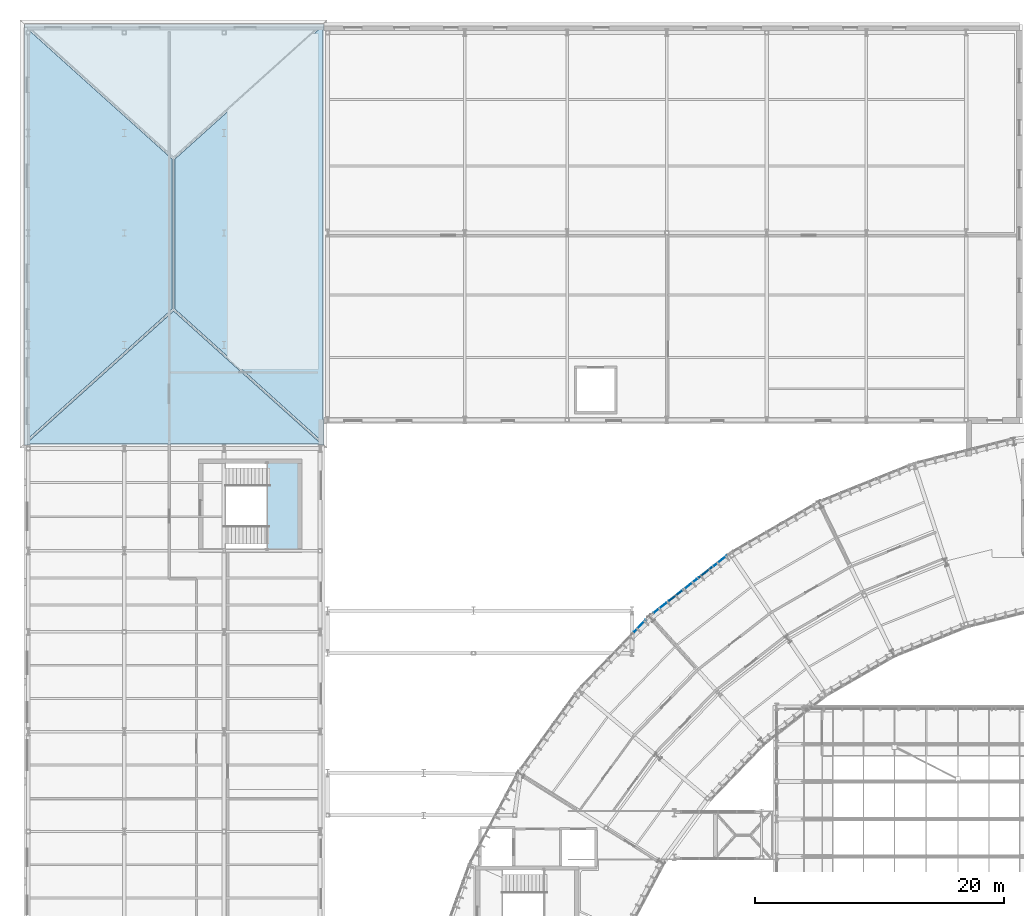
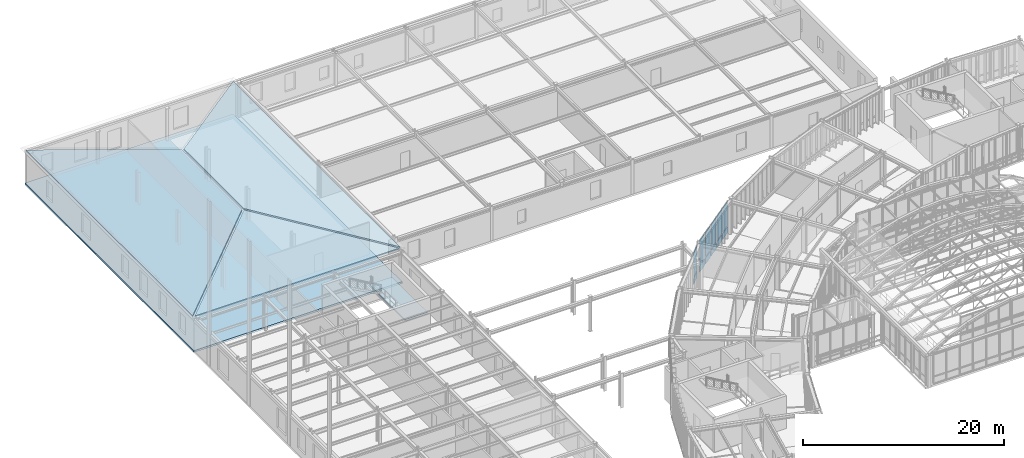
# One storey, part 102 of 148: 12 plates, 5 slabs, 3 elements without a shape of their own.
"""IFC4 building model written with IfcOpenShell, lengths in metres."""

import ifcopenshell
import ifcopenshell.guid

model = None  # the IFC model being written
_history = None  # IfcOwnerHistory: only IFC2X3 demands one
_inside = {}  # id of a spatial element -> (the spatial element, [elements in it])
_under = {}  # id of a project, library or spatial element -> (it, [spatial elements below it])
_declared = {}  # id of a project -> (the project, [libraries it declares])
_typed = {}  # id of a type object -> (the type object, [elements of that type])
_made_of = {}  # id of a material, layer set ... -> (it, [elements and type objects made of it])


def new_model(schema):
    """Start an empty IFC model of exactly this schema.

    Asked for "IFC4X3", IfcOpenShell would pick the latest addendum, in which some entities
    have other attributes; the version numbers below select the first issue.
    IFC2X3 requires an IfcOwnerHistory on every rooted entity: one is made here for all.
    """
    global model, _history
    if schema == "IFC4X3":
        model = ifcopenshell.file(schema_version=(4, 3, 0, 0))
    else:
        model = ifcopenshell.file(schema=schema)
    _inside.clear()
    _under.clear()
    _declared.clear()
    _typed.clear()
    _made_of.clear()
    _history = None
    if model.schema == "IFC2X3":
        org = make("IfcOrganization", Name="unknown")
        user = make(
            "IfcPersonAndOrganization",
            ThePerson=make("IfcPerson", FamilyName="unknown"),
            TheOrganization=org,
        )
        app = make(
            "IfcApplication",
            ApplicationDeveloper=org,
            Version="unknown",
            ApplicationFullName="unknown",
            ApplicationIdentifier="unknown",
        )
        _history = make(
            "IfcOwnerHistory",
            OwningUser=user,
            OwningApplication=app,
            ChangeAction="ADDED",
            CreationDate=0,
        )
    return model


def make(cls, **values):
    """One entity of the class cls with the attributes given. An attribute that is None is left unset."""
    return model.create_entity(
        cls, **{name: value for name, value in values.items() if value is not None}
    )


def rooted(cls, **values):
    """An entity with a GlobalId (a new one), such as an element, a storey or a relation."""
    return make(cls, GlobalId=ifcopenshell.guid.new(), OwnerHistory=_history, **values)


def si_unit(unit_type, name, prefix=None):
    """IfcSIUnit, for example si_unit("LENGTHUNIT", "METRE", prefix="MILLI")."""
    return make("IfcSIUnit", UnitType=unit_type, Prefix=prefix, Name=name)


def assignment(units):
    """IfcUnitAssignment: the units of a project."""
    return None if units is None else make("IfcUnitAssignment", Units=units)


def point(xyz):
    """IfcCartesianPoint."""
    return None if xyz is None else make("IfcCartesianPoint", Coordinates=xyz)


def direction(xyz):
    """IfcDirection."""
    return None if xyz is None else make("IfcDirection", DirectionRatios=xyz)


def frame(location, z_axis=None, x_axis=None):
    """IfcAxis2Placement3D, a coordinate frame: its origin and axes. An axis left out is left unset."""
    return make(
        "IfcAxis2Placement3D",
        Location=point(location),
        Axis=direction(z_axis),
        RefDirection=direction(x_axis),
    )


def frame_2d(location, x_axis=None):
    """IfcAxis2Placement2D, a coordinate frame in the plane: its origin and x axis."""
    return make(
        "IfcAxis2Placement2D", Location=point(location), RefDirection=direction(x_axis)
    )


def origin():
    """The frame at (0, 0, 0) with its axes left unset."""
    return frame((0.0, 0.0, 0.0))


def origin_2d():
    """The frame at (0, 0) in the plane with its x axis left unset."""
    return frame_2d((0.0, 0.0))


def place(relative_to, where):
    """IfcLocalPlacement: puts the frame where relative to a parent placement (None: the world)."""
    return make(
        "IfcLocalPlacement", PlacementRelTo=relative_to, RelativePlacement=where
    )


def context(
    kind, dimensions, precision=None, world=None, true_north=None, identifier=None
):
    """IfcGeometricRepresentationContext, for example the 3D "Model" context."""
    return make(
        "IfcGeometricRepresentationContext",
        ContextIdentifier=identifier,
        ContextType=kind,
        CoordinateSpaceDimension=dimensions,
        Precision=precision,
        WorldCoordinateSystem=world,
        TrueNorth=true_north,
    )


def subcontext(parent, identifier, kind, view, scale=None):
    """IfcGeometricRepresentationSubContext, for example "Body" below "Model"."""
    return make(
        "IfcGeometricRepresentationSubContext",
        ContextIdentifier=identifier,
        ContextType=kind,
        ParentContext=parent,
        TargetScale=scale,
        TargetView=view,
    )


def project(units=None, contexts=None):
    """IfcProject with its units and contexts."""
    return rooted(
        "IfcProject",
        Name="project",
        RepresentationContexts=contexts,
        UnitsInContext=assignment(units),
    )


def spatial(cls, under=None, at=None, **own):
    """A site, building, storey or space (cls), placed at a placement, below another one or the project."""
    s = rooted(cls, ObjectPlacement=at, **own)
    if under is not None:
        _under.setdefault(under.id(), (under, []))[1].append(s)
    return s


def polyline(points):
    """IfcPolyline through the points."""
    return make("IfcPolyline", Points=[point(p) for p in points])


def profile(cls, at=None, kind="AREA", **sizes):
    """A parametric profile (cls). Its sizes go by their IFC names, for example OverallWidth=200.0."""
    return make(cls, ProfileType=kind, Position=at, **sizes)


def rectangle(**sizes):
    """IfcRectangleProfileDef."""
    return profile("IfcRectangleProfileDef", **sizes)


def outline(outer, holes=None, kind="AREA"):
    """IfcArbitraryClosedProfileDef: a profile drawn as a closed curve; with holes, ...WithVoids."""
    if holes is None:
        return make("IfcArbitraryClosedProfileDef", ProfileType=kind, OuterCurve=outer)
    return make(
        "IfcArbitraryProfileDefWithVoids",
        ProfileType=kind,
        OuterCurve=outer,
        InnerCurves=holes,
    )


def extrude(swept, where, along, depth):
    """IfcExtrudedAreaSolid: the profile swept, set in the frame where, extruded along a direction by depth."""
    return make(
        "IfcExtrudedAreaSolid",
        SweptArea=swept,
        Position=where,
        ExtrudedDirection=direction(along),
        Depth=depth,
    )


def shape(context_of_items, identifier, shape_type, items):
    """IfcShapeRepresentation: the items that make up one representation, for example the "Body"."""
    return make(
        "IfcShapeRepresentation",
        ContextOfItems=context_of_items,
        RepresentationIdentifier=identifier,
        RepresentationType=shape_type,
        Items=items,
    )


def material(Name=None, Category=None):
    """IfcMaterial."""
    return make("IfcMaterial", Name=Name, Category=Category)


def layer(
    of_material, thickness, ventilated=None, Name=None, Category=None, Priority=None
):
    """IfcMaterialLayer: one layer of a wall or slab, of a material (None: an air gap)."""
    return make(
        "IfcMaterialLayer",
        Material=of_material,
        LayerThickness=thickness,
        IsVentilated=ventilated,
        Name=Name,
        Category=Category,
        Priority=Priority,
    )


def layer_set(layers, Name=None):
    """IfcMaterialLayerSet."""
    return make("IfcMaterialLayerSet", MaterialLayers=layers, LayerSetName=Name)


def made_of(thing, what):
    """Note that an element or type object is made of a material, layer set ...; save() writes the relation."""
    if what is not None:
        _made_of.setdefault(what.id(), (what, []))[1].append(thing)
    return thing


def type_object(cls, material=None, **own):
    """A type object (cls), such as IfcWallType, which elements share."""
    return made_of(rooted(cls, **own), material)


def element(
    cls,
    number,
    at=None,
    inside=None,
    cuts=None,
    type_object=None,
    material=None,
    context=None,
    identifier="Body",
    shape_type=None,
    held_by="IfcProductDefinitionShape",
    body=None,
    shapes=None,
    **own,
):
    """One element of the class cls, such as IfcWall. Its Tag is "e" and its number.

    at: its placement. inside: the storey or other place that contains it. cuts: it is an
    opening in that element (IfcRelVoidsElement). A single representation is given by context,
    identifier, shape_type and body (its items); several are given by shapes. held_by: the class
    of the entity that holds the representations. save() writes the other relations.
    """
    e = rooted(cls, Tag="e%d" % number, ObjectPlacement=at, **own)
    if body is not None:
        shapes = [shape(context, identifier, shape_type, body)]
    if shapes is not None:
        e.Representation = make(held_by, Representations=shapes)
    if inside is not None:
        _inside.setdefault(inside.id(), (inside, []))[1].append(e)
    if cuts is not None:
        rooted(
            "IfcRelVoidsElement", RelatingBuildingElement=cuts, RelatedOpeningElement=e
        )
    if type_object is not None:
        _typed.setdefault(type_object.id(), (type_object, []))[1].append(e)
    return made_of(e, material)


def aggregate(whole, parts):
    """IfcRelAggregates: a whole, such as a stair, and the parts it consists of."""
    return rooted("IfcRelAggregates", RelatingObject=whole, RelatedObjects=parts)


def save(model, path):
    """Write the relations noted so far, then the file.

    IfcRelAggregates (storeys below a building ...), IfcRelContainedInSpatialStructure (elements
    in a storey), IfcRelDefinesByType, IfcRelAssociatesMaterial and IfcRelDeclares: one each for
    every whole, place, type object, material and project.
    """
    for whole, parts in _under.values():
        aggregate(whole, parts)
    for where, things in _inside.values():
        rooted(
            "IfcRelContainedInSpatialStructure",
            RelatedElements=things,
            RelatingStructure=where,
        )
    for kind, things in _typed.values():
        rooted("IfcRelDefinesByType", RelatedObjects=things, RelatingType=kind)
    for what, things in _made_of.values():
        rooted("IfcRelAssociatesMaterial", RelatedObjects=things, RelatingMaterial=what)
    for by, libraries in _declared.values():
        rooted("IfcRelDeclares", RelatingContext=by, RelatedDefinitions=libraries)
    model.write(path)


model = new_model("IFC4")

# Units and contexts
model_context = context("Model", 3, precision=1e-05, world=origin(), true_north=direction((0.0, 1.0)))
body_context = subcontext(model_context, "Body", "Model", "MODEL_VIEW")
ifc_project = project(units=[si_unit("LENGTHUNIT", "METRE"), si_unit("AREAUNIT", "SQUARE_METRE"), si_unit("VOLUMEUNIT", "CUBIC_METRE"), si_unit("PLANEANGLEUNIT", "RADIAN"), si_unit("MASSUNIT", "GRAM", prefix="KILO"), si_unit("THERMODYNAMICTEMPERATUREUNIT", "KELVIN"), si_unit("POWERUNIT", "WATT")], contexts=[model_context])

# Site, building, storey
site_placement = place(None, origin())
site = spatial("IfcSite", under=ifc_project, at=site_placement, CompositionType="ELEMENT")
building_placement = place(site_placement, origin())
building = spatial("IfcBuilding", under=site, at=building_placement, Name="Solvatero Civic Police Headquarters", CompositionType="ELEMENT")
storey_placement = place(building_placement, frame((0.0, 0.0, 5.10009765625)))
storey = spatial("IfcBuildingStorey", under=building, at=storey_placement, Name="L01", CompositionType="ELEMENT", Elevation=5.10009765625)

# Curtain wall, plates
ifc_material_1 = material(Name="Anodized Bronze Aluminium", Category="aluminium")
ifc_layer_1 = layer(ifc_material_1, 0.179931640625)
ifc_layer_set_1 = layer_set([ifc_layer_1], Name="Anodized Bronze Aluminium")
curtain_wall_type = type_object("IfcCurtainWallType", Name="CW-ARC-OUT", PredefinedType="USERDEFINED", material=ifc_layer_set_1)
curtain_wall_1_placement = place(storey_placement, origin())
curtain_wall_1 = element("IfcCurtainWall", 1, at=curtain_wall_1_placement, inside=storey, type_object=curtain_wall_type, Name="Curtain Wall CW-R2-L01-ARC-OUT-B06", ObjectType="UNITISED", PredefinedType="USERDEFINED")
ifc_material_2 = material(Name="Triple Low-E Laminated Glass", Category="glass")
ifc_layer_2 = layer(ifc_material_2, 0.0380859375)
ifc_layer_set_2 = layer_set([ifc_layer_2], Name="Triple Low-E Laminated Glass")
plate_type_1 = type_object("IfcPlateType", Name="CWP-GLZ-38", PredefinedType="CURTAIN_PANEL", material=ifc_layer_set_2)
plate_1_placement = place(storey_placement, frame((60.30078125, 74.208984375, 0.91015625), z_axis=(0.0, 0.0, 1.0), x_axis=(-0.788010753607, -0.615661475326, 0.0)))
plate_1 = element("IfcPlate", 2, at=plate_1_placement, type_object=plate_type_1, Name="CW-R2-L01-ARC-OUT-B06 Vision Glazing 1", PredefinedType="CURTAIN_PANEL", context=body_context, shape_type="SweptSolid", body=[
    extrude(rectangle(XDim=1.34814453125, YDim=0.0380859375, at=origin_2d()), origin(), (0.0, 0.0, 1.0), 2.969970703125),
])
plate_2_placement = place(storey_placement, frame((57.892578125, 72.327392578125, 0.91015625), z_axis=(0.0, 0.0, 1.0), x_axis=(-0.788010753607, -0.615661475326, 0.0)))
plate_2 = element("IfcPlate", 3, at=plate_2_placement, type_object=plate_type_1, Name="CW-R2-L01-ARC-OUT-B06 Vision Glazing 3", PredefinedType="CURTAIN_PANEL", context=body_context, shape_type="SweptSolid", body=[
    extrude(rectangle(XDim=1.34814453125, YDim=0.0380859375, at=origin_2d()), origin(), (0.0, 0.0, 1.0), 2.969970703125),
])
plate_3_placement = place(storey_placement, frame((55.484130859375, 70.446044921875, 0.91015625), z_axis=(0.0, 0.0, 1.0), x_axis=(-0.788010753607, -0.615661475326, 0.0)))
plate_3 = element("IfcPlate", 4, at=plate_3_placement, type_object=plate_type_1, Name="CW-R2-L01-ARC-OUT-B06 Vision Glazing 5", PredefinedType="CURTAIN_PANEL", context=body_context, shape_type="SweptSolid", body=[
    extrude(rectangle(XDim=1.34814453125, YDim=0.0380859375, at=origin_2d()), origin(), (0.0, 0.0, 1.0), 2.969970703125),
])

# Curtain wall, plate
curtain_wall_2_placement = place(storey_placement, origin())
curtain_wall_2 = element("IfcCurtainWall", 5, at=curtain_wall_2_placement, inside=storey, type_object=curtain_wall_type, Name="Curtain Wall CW-R2-L01-ARC-OUT-B07", ObjectType="UNITISED", PredefinedType="USERDEFINED")
plate_4_placement = place(storey_placement, frame((53.830322265625, 68.957763671875, 0.91015625), z_axis=(0.0, 0.0, 1.0), x_axis=(-0.694645815505, -0.719351924305, 0.0)))
plate_4 = element("IfcPlate", 6, at=plate_4_placement, type_object=plate_type_1, Name="CW-R2-L01-ARC-OUT-B07 Vision Glazing 1", PredefinedType="CURTAIN_PANEL", context=body_context, shape_type="SweptSolid", body=[
    extrude(rectangle(XDim=1.328125, YDim=0.0380859375, at=origin_2d()), origin(), (0.0, 0.0, 1.0), 2.969970703125),
])

# Plate
ifc_material_3 = material(Name="Acoustic Ballistic Laminated Glass", Category="glass")
ifc_layer_3 = layer(ifc_material_3, 0.0439453125)
ifc_layer_set_3 = layer_set([ifc_layer_3], Name="Acoustic Ballistic Laminated Glass")
plate_type_2 = type_object("IfcPlateType", Name="CWP-GLZ-44", PredefinedType="CURTAIN_PANEL", material=ifc_layer_set_3)
plate_5_placement = place(storey_placement, frame((59.0966796875, 73.268310546875, 0.91015625), z_axis=(0.0, 0.0, 1.0), x_axis=(-0.788010753607, -0.615661475326, 0.0)))
plate_5 = element("IfcPlate", 7, at=plate_5_placement, type_object=plate_type_2, Name="CW-R2-L01-ARC-OUT-B06 Vision Glazing 2", PredefinedType="CURTAIN_PANEL", context=body_context, shape_type="SweptSolid", body=[
    extrude(rectangle(XDim=1.34814453125, YDim=0.0439453125, at=origin_2d()), origin(), (0.0, 0.0, 1.0), 2.969970703125),
])

plate_6_placement = place(storey_placement, frame((56.688232421875, 71.38671875, 0.91015625), z_axis=(0.0, 0.0, 1.0), x_axis=(-0.788010753607, -0.615661475326, 0.0)))
plate_6 = element("IfcPlate", 8, at=plate_6_placement, type_object=plate_type_2, Name="CW-R2-L01-ARC-OUT-B06 Vision Glazing 4", PredefinedType="CURTAIN_PANEL", context=body_context, shape_type="SweptSolid", body=[
    extrude(rectangle(XDim=1.34814453125, YDim=0.0439453125, at=origin_2d()), origin(), (0.0, 0.0, 1.0), 2.969970703125),
])

ifc_material_4 = material(Name="Insulated Bronze Aluminium Spandrel", Category="aluminium")
ifc_layer_4 = layer(ifc_material_4, 0.06005859375)
ifc_layer_set_4 = layer_set([ifc_layer_4], Name="Insulated Bronze Aluminium Spandrel")
plate_type_3 = type_object("IfcPlateType", Name="CWP-SPN-60", PredefinedType="CURTAIN_PANEL", material=ifc_layer_set_4)
plate_7_placement = place(storey_placement, frame((60.30078125, 74.208984375, 0.059814453125), z_axis=(0.0, 0.0, 1.0), x_axis=(-0.788010753607, -0.615661475326, 0.0)))
plate_7 = element("IfcPlate", 9, at=plate_7_placement, type_object=plate_type_3, Name="CW-R2-L01-ARC-OUT-B06 Spandrel Panel 1", PredefinedType="CURTAIN_PANEL", context=body_context, shape_type="SweptSolid", body=[
    extrude(rectangle(XDim=1.34814453125, YDim=0.06005859375, at=origin_2d()), origin(), (0.0, 0.0, 1.0), 0.72998046875),
])

plate_8_placement = place(storey_placement, frame((57.892578125, 72.327392578125, 0.059814453125), z_axis=(0.0, 0.0, 1.0), x_axis=(-0.788010753607, -0.615661475326, 0.0)))
plate_8 = element("IfcPlate", 10, at=plate_8_placement, type_object=plate_type_3, Name="CW-R2-L01-ARC-OUT-B06 Spandrel Panel 3", PredefinedType="CURTAIN_PANEL", context=body_context, shape_type="SweptSolid", body=[
    extrude(rectangle(XDim=1.34814453125, YDim=0.06005859375, at=origin_2d()), origin(), (0.0, 0.0, 1.0), 0.72998046875),
])

plate_9_placement = place(storey_placement, frame((55.484130859375, 70.446044921875, 0.059814453125), z_axis=(0.0, 0.0, 1.0), x_axis=(-0.788010753607, -0.615661475326, 0.0)))
plate_9 = element("IfcPlate", 11, at=plate_9_placement, type_object=plate_type_3, Name="CW-R2-L01-ARC-OUT-B06 Spandrel Panel 5", PredefinedType="CURTAIN_PANEL", context=body_context, shape_type="SweptSolid", body=[
    extrude(rectangle(XDim=1.34814453125, YDim=0.06005859375, at=origin_2d()), origin(), (0.0, 0.0, 1.0), 0.72998046875),
])

plate_10_placement = place(storey_placement, frame((53.830322265625, 68.957763671875, 0.059814453125), z_axis=(0.0, 0.0, 1.0), x_axis=(-0.694645815505, -0.719351924305, 0.0)))
plate_10 = element("IfcPlate", 12, at=plate_10_placement, type_object=plate_type_3, Name="CW-R2-L01-ARC-OUT-B07 Spandrel Panel 1", PredefinedType="CURTAIN_PANEL", context=body_context, shape_type="SweptSolid", body=[
    extrude(rectangle(XDim=1.328125, YDim=0.06005859375, at=origin_2d()), origin(), (0.0, 0.0, 1.0), 0.72998046875),
])

aggregate(curtain_wall_2, [plate_10, plate_4])

ifc_material_5 = material(Name="Limestone Veneer Spandrel Panel", Category="masonry")
ifc_layer_5 = layer(ifc_material_5, 0.074951171875)
ifc_layer_set_5 = layer_set([ifc_layer_5], Name="Limestone Veneer Spandrel Panel")
plate_type_4 = type_object("IfcPlateType", Name="CWP-SPN-75", PredefinedType="CURTAIN_PANEL", material=ifc_layer_set_5)
plate_11_placement = place(storey_placement, frame((59.0966796875, 73.268310546875, 0.059814453125), z_axis=(0.0, 0.0, 1.0), x_axis=(-0.788010753607, -0.615661475326, 0.0)))
plate_11 = element("IfcPlate", 13, at=plate_11_placement, type_object=plate_type_4, Name="CW-R2-L01-ARC-OUT-B06 Spandrel Panel 2", PredefinedType="CURTAIN_PANEL", context=body_context, shape_type="SweptSolid", body=[
    extrude(rectangle(XDim=1.34814453125, YDim=0.074951171875, at=origin_2d()), origin(), (0.0, 0.0, 1.0), 0.72998046875),
])

plate_12_placement = place(storey_placement, frame((56.688232421875, 71.38671875, 0.059814453125), z_axis=(0.0, 0.0, 1.0), x_axis=(-0.788010753607, -0.615661475326, 0.0)))
plate_12 = element("IfcPlate", 14, at=plate_12_placement, type_object=plate_type_4, Name="CW-R2-L01-ARC-OUT-B06 Spandrel Panel 4", PredefinedType="CURTAIN_PANEL", context=body_context, shape_type="SweptSolid", body=[
    extrude(rectangle(XDim=1.34814453125, YDim=0.074951171875, at=origin_2d()), origin(), (0.0, 0.0, 1.0), 0.72998046875),
])

aggregate(curtain_wall_1, [plate_7, plate_1, plate_11, plate_5, plate_8, plate_2, plate_12, plate_6, plate_9, plate_3])

# Slab
ifc_material_6 = material(Name="Concrete C35/45", Category="concrete")
ifc_layer_6 = layer(ifc_material_6, 0.219970703125)
ifc_layer_set_6 = layer_set([ifc_layer_6], Name="Concrete C35/45")
slab_type_1 = type_object("IfcSlabType", Name="SLB-COMP-220", PredefinedType="FLOOR", material=ifc_layer_set_6)
slab_1_placement = place(storey_placement, frame((0.0, 0.0, -0.22021484375)))
element("IfcSlab", 15, at=slab_1_placement, inside=storey, type_object=slab_type_1, Name="L01 Suspended floor slab SLB-L01-V7NW", PredefinedType="FLOOR", context=body_context, shape_type="SweptSolid", body=[
    extrude(outline(polyline([(4.5, 117.199951171875), (28.5, 117.199951171875), (28.5, 83.501953125), (4.5, 83.501953125), (4.5, 117.199951171875)])), origin(), (0.0, 0.0, 1.0), 0.22021484375),
])

# Stair, slab
ifc_material_7 = material(Name="Precast concrete C40/50", Category="concrete")
stair_type = type_object("IfcStairType", Name="STR-C145-420", PredefinedType="HALF_TURN_STAIR", material=ifc_material_7)
stair_placement = place(storey_placement, origin())
stair = element("IfcStair", 16, at=stair_placement, inside=storey, type_object=stair_type, Name="Protected Exit Stair ST-C4 (L01 to L02)", PredefinedType="HALF_TURN_STAIR")
ifc_layer_7 = layer(ifc_material_7, 0.199951171875)
ifc_layer_set_7 = layer_set([ifc_layer_7], Name="Precast concrete C40/50")
slab_type_2 = type_object("IfcSlabType", Name="SLB-LND-200", PredefinedType="LANDING", material=ifc_layer_set_7)
slab_2_placement = place(storey_placement, frame((0.0, 0.0, 1.89990234375)))
slab_2 = element("IfcSlab", 17, at=slab_2_placement, type_object=slab_type_2, Name="ST-C4 L01 Half-Landing", PredefinedType="LANDING", context=body_context, shape_type="SweptSolid", body=[
    extrude(outline(polyline([(23.93994140625, 75.050048828125), (26.550048828125, 75.050048828125), (26.550048828125, 82.14990234375), (23.93994140625, 82.14990234375), (23.93994140625, 75.050048828125)])), origin(), (0.0, 0.0, 1.0), 0.199951171875),
])
aggregate(stair, [slab_2])

# Slabs
ifc_layer_8 = layer(ifc_material_6, 0.179931640625)
ifc_layer_set_8 = layer_set([ifc_layer_8], Name="Concrete C35/45")
slab_type_3 = type_object("IfcSlabType", Name="SLB-RF-COT-180", PredefinedType="ROOF", material=ifc_layer_set_8)
slab_3_placement = place(storey_placement, frame((16.342041015625, 94.404541015625, 6.478515625), z_axis=(-0.195338409068, 0.0, 0.980735900201), x_axis=(-0.735276353708, -0.661756297724, -0.146448919764)))
element("IfcSlab", 18, at=slab_3_placement, inside=storey, type_object=slab_type_3, Name="V7NW Lombard Hipped Roof Slab W", PredefinedType="ROOF", context=body_context, shape_type="SweptSolid", body=[
    extrude(outline(polyline([(0.0, 0.0), (16.105564874902985, 8.881784197001252e-16), (-5.935314314732176, -24.97062182387151), (-7.93509779363551, -8.989855823604714), (0.0, 0.0)])), origin(), (0.0, 0.0, -1.0), 0.179931640625),
])
slab_4_placement = place(storey_placement, frame((16.557861328125, 106.3955078125, 6.478515625), z_axis=(0.195338409068, 0.0, 0.980735900201), x_axis=(0.735283729596, 0.661747777173, -0.146450388859)))
element("IfcSlab", 19, at=slab_4_placement, inside=storey, type_object=slab_type_3, Name="V7NW Lombard Hipped Roof Slab E", PredefinedType="ROOF", context=body_context, shape_type="SweptSolid", body=[
    extrude(outline(polyline([(0.0, 0.0), (16.10540331434696, 6.106226635438361e-16), (-5.93519208435962, -24.970872315428124), (-7.93499562399192, -8.989946004898348), (0.0, 0.0)])), origin(), (0.0, 0.0, -1.0), 0.179931640625),
])
slab_5_placement = place(storey_placement, frame((28.23779296875, 83.60009765625, 4.119873046875), z_axis=(0.0, -0.216064380838, 0.976379118649), x_axis=(-1.0, 0.0, 0.0)))
element("IfcSlab", 20, at=slab_5_placement, inside=storey, type_object=slab_type_3, Name="V7NW Lombard Hipped Roof Slab S", PredefinedType="ROOF", context=body_context, shape_type="SweptSolid", body=[
    extrude(outline(polyline([(0.0, 0.0), (23.575439453125, 0.0), (11.787841796875, -10.86554035837308), (0.0, 0.0)])), origin(), (0.0, 0.0, -1.0), 0.179931640625),
])

save(model, "model.ifc")
